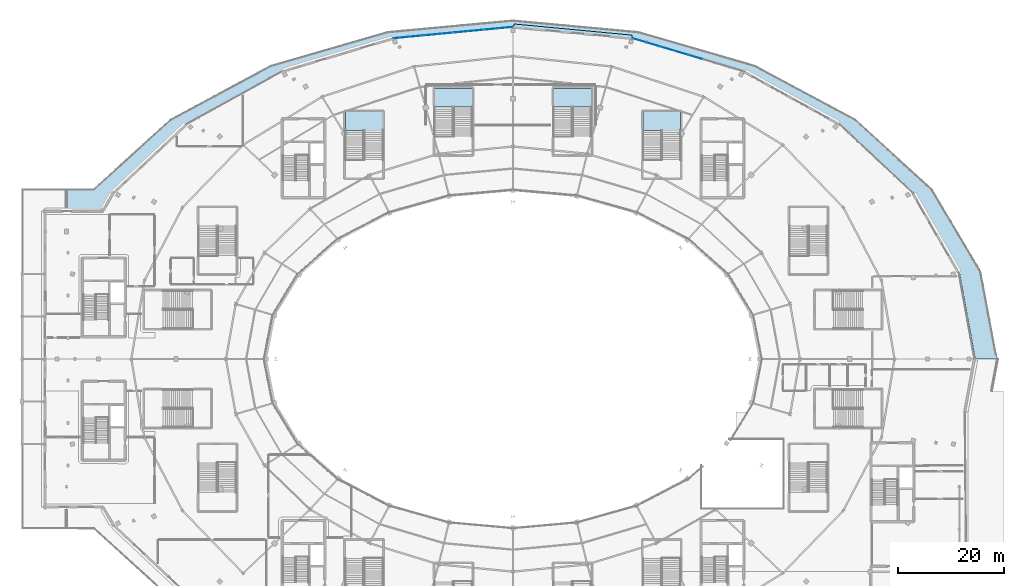
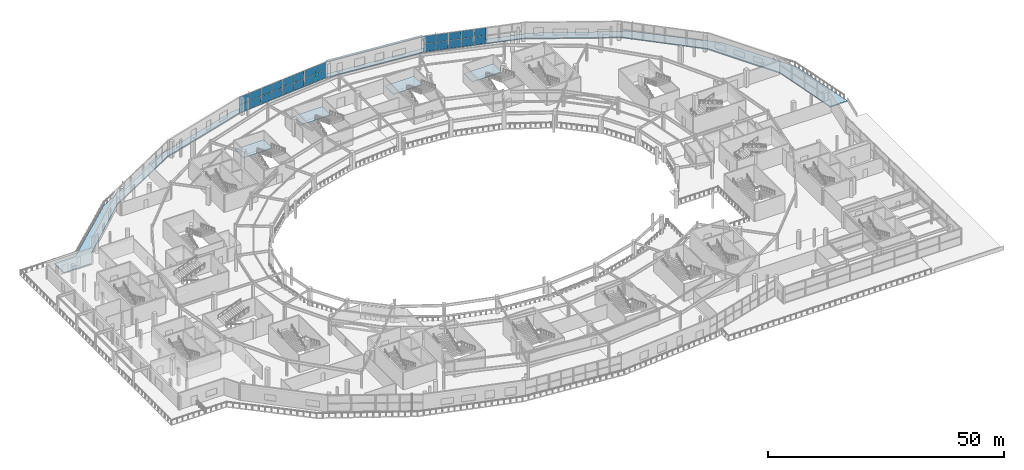
# One storey, part 64 of 107: 27 plates, 5 slabs, 11 elements without a shape of their own.
"""IFC4 building model written with IfcOpenShell, lengths in metres."""

from ifc_helpers import new_model, si_unit, direction, frame, origin, origin_2d, place, context, subcontext, project, spatial, polyline, rectangle, outline, extrude, material, layer, layer_set, type_object, element, aggregate, save


model = new_model("IFC4")

# Units and contexts
model_context = context("Model", 3, precision=1e-05, world=origin(), true_north=direction((0.0, 1.0)))
body_context = subcontext(model_context, "Body", "Model", "MODEL_VIEW")
ifc_project = project(units=[si_unit("LENGTHUNIT", "METRE"), si_unit("AREAUNIT", "SQUARE_METRE"), si_unit("VOLUMEUNIT", "CUBIC_METRE"), si_unit("PLANEANGLEUNIT", "RADIAN"), si_unit("MASSUNIT", "GRAM", prefix="KILO")], contexts=[model_context])

# Site, building, storey
site_placement = place(None, origin())
site = spatial("IfcSite", under=ifc_project, at=site_placement, CompositionType="ELEMENT")
building_placement = place(site_placement, origin())
building = spatial("IfcBuilding", under=site, at=building_placement, Name="Kalgoora Escarpment Arena", CompositionType="ELEMENT")
storey_placement = place(building_placement, frame((0.0, 0.0, 5.39990234375)))
storey = spatial("IfcBuildingStorey", under=building, at=storey_placement, Name="L01", CompositionType="ELEMENT", Elevation=5.39990234375)

# Curtain wall, plates
ifc_material_1 = material(Name=" Champagne anodised aluminium & double-glazed low-E", Category="aluminium")
ifc_layer_1 = layer(ifc_material_1, 0.162109375)
ifc_layer_set_1 = layer_set([ifc_layer_1], Name="CW-UNIT-03")
curtain_wall_type_1 = type_object("IfcCurtainWallType", Name="CW-UNIT-03", PredefinedType="NOTDEFINED", material=ifc_layer_set_1)
curtain_wall_1_placement = place(storey_placement, origin())
curtain_wall_1 = element("IfcCurtainWall", 1, at=curtain_wall_1_placement, inside=storey, type_object=curtain_wall_type_1, Name="L01 unitised facade curtain wall 022", PredefinedType="NOTDEFINED")
ifc_material_2 = material(Name="Low-E double-glazed insulated glass", Category="glass")
ifc_layer_2 = layer(ifc_material_2, 0.028076171875)
ifc_layer_set_2 = layer_set([ifc_layer_2], Name="PLT-CW-GLAZ-28")
plate_type_1 = type_object("IfcPlateType", Name="PLT-CW-GLAZ-28", PredefinedType="CURTAIN_PANEL", material=ifc_layer_set_2)
plate_1_placement = place(storey_placement, frame((76.9716796875, 125.01806640625, 0.080078125), z_axis=(0.0, 0.0, 1.0), x_axis=(0.995543729213, 0.094301024516, 0.0)))
plate_1 = element("IfcPlate", 2, at=plate_1_placement, type_object=plate_type_1, Name="CW-03 panel 1.1", PredefinedType="CURTAIN_PANEL", context=body_context, shape_type="SweptSolid", body=[
    extrude(rectangle(XDim=2.6796875, YDim=0.028076171875, at=origin_2d()), origin(), (0.0, 0.0, 1.0), 2.014892578125),
])
plate_2_placement = place(storey_placement, frame((76.9716796875, 125.01806640625, 2.155029296875), z_axis=(0.0, 0.0, 1.0), x_axis=(0.995543729213, 0.094301024516, 0.0)))
plate_2 = element("IfcPlate", 3, at=plate_2_placement, type_object=plate_type_1, Name="CW-03 panel 1.2", PredefinedType="CURTAIN_PANEL", context=body_context, shape_type="SweptSolid", body=[
    extrude(rectangle(XDim=2.6796875, YDim=0.028076171875, at=origin_2d()), origin(), (0.0, 0.0, 1.0), 1.9951171875),
])
plate_3_placement = place(storey_placement, frame((79.704345703125, 125.27685546875, 0.080078125), z_axis=(0.0, 0.0, 1.0), x_axis=(0.995543729213, 0.094301024516, 0.0)))
plate_3 = element("IfcPlate", 4, at=plate_3_placement, type_object=plate_type_1, Name="CW-03 panel 2.1", PredefinedType="CURTAIN_PANEL", context=body_context, shape_type="SweptSolid", body=[
    extrude(rectangle(XDim=2.6796875, YDim=0.028076171875, at=origin_2d()), origin(), (0.0, 0.0, 1.0), 2.014892578125),
])
plate_4_placement = place(storey_placement, frame((79.704345703125, 125.27685546875, 2.155029296875), z_axis=(0.0, 0.0, 1.0), x_axis=(0.995543729213, 0.094301024516, 0.0)))
plate_4 = element("IfcPlate", 5, at=plate_4_placement, type_object=plate_type_1, Name="CW-03 panel 2.2", PredefinedType="CURTAIN_PANEL", context=body_context, shape_type="SweptSolid", body=[
    extrude(rectangle(XDim=2.6796875, YDim=0.028076171875, at=origin_2d()), origin(), (0.0, 0.0, 1.0), 1.9951171875),
])
aggregate(curtain_wall_1, [plate_1, plate_2, plate_3, plate_4])

ifc_material_3 = material(Name=" Champagne anodised aluminium & double-glazed low-E", Category="aluminium")
ifc_layer_3 = layer(ifc_material_3, 0.14990234375)
ifc_layer_set_3 = layer_set([ifc_layer_3], Name="CW-UNIT-05")
curtain_wall_type_2 = type_object("IfcCurtainWallType", Name="CW-UNIT-05", PredefinedType="NOTDEFINED", material=ifc_layer_set_3)
curtain_wall_2_placement = place(storey_placement, origin())
curtain_wall_2 = element("IfcCurtainWall", 6, at=curtain_wall_2_placement, inside=storey, type_object=curtain_wall_type_2, Name="L01 unitised facade curtain wall 024", PredefinedType="NOTDEFINED")
plate_5_placement = place(storey_placement, frame((88.242919921875, 126.085693359375, 0.080078125), z_axis=(0.0, 0.0, 1.0), x_axis=(0.995543858863, 0.094299655777, 0.0)))
plate_5 = element("IfcPlate", 7, at=plate_5_placement, type_object=plate_type_1, Name="CW-05 panel 1.1", PredefinedType="CURTAIN_PANEL", context=body_context, shape_type="SweptSolid", body=[
    extrude(rectangle(XDim=2.704833984375, YDim=0.028076171875, at=origin_2d()), origin(), (0.0, 0.0, 1.0), 2.014892578125),
])
plate_6_placement = place(storey_placement, frame((88.242919921875, 126.085693359375, 2.155029296875), z_axis=(0.0, 0.0, 1.0), x_axis=(0.995543858863, 0.094299655777, 0.0)))
plate_6 = element("IfcPlate", 8, at=plate_6_placement, type_object=plate_type_1, Name="CW-05 panel 1.2", PredefinedType="CURTAIN_PANEL", context=body_context, shape_type="SweptSolid", body=[
    extrude(rectangle(XDim=2.704833984375, YDim=0.028076171875, at=origin_2d()), origin(), (0.0, 0.0, 1.0), 1.9951171875),
])
plate_7_placement = place(storey_placement, frame((91.000244140625, 126.346923828125, 0.080078125), z_axis=(0.0, 0.0, 1.0), x_axis=(0.995543858863, 0.094299655777, 0.0)))
plate_7 = element("IfcPlate", 9, at=plate_7_placement, type_object=plate_type_1, Name="CW-05 panel 2.1", PredefinedType="CURTAIN_PANEL", context=body_context, shape_type="SweptSolid", body=[
    extrude(rectangle(XDim=2.704833984375, YDim=0.028076171875, at=origin_2d()), origin(), (0.0, 0.0, 1.0), 2.014892578125),
])
plate_8_placement = place(storey_placement, frame((91.000244140625, 126.346923828125, 2.155029296875), z_axis=(0.0, 0.0, 1.0), x_axis=(0.995543858863, 0.094299655777, 0.0)))
plate_8 = element("IfcPlate", 10, at=plate_8_placement, type_object=plate_type_1, Name="CW-05 panel 2.2", PredefinedType="CURTAIN_PANEL", context=body_context, shape_type="SweptSolid", body=[
    extrude(rectangle(XDim=2.704833984375, YDim=0.028076171875, at=origin_2d()), origin(), (0.0, 0.0, 1.0), 1.9951171875),
])
aggregate(curtain_wall_2, [plate_5, plate_6, plate_7, plate_8])

ifc_material_4 = material(Name=" Champagne anodised aluminium & double-glazed low-E", Category="aluminium")
ifc_layer_4 = layer(ifc_material_4, 0.157958984375)
ifc_layer_set_4 = layer_set([ifc_layer_4], Name="CW-UNIT-07")
curtain_wall_type_3 = type_object("IfcCurtainWallType", Name="CW-UNIT-07", PredefinedType="NOTDEFINED", material=ifc_layer_set_4)
curtain_wall_3_placement = place(storey_placement, origin())
curtain_wall_3 = element("IfcCurtainWall", 11, at=curtain_wall_3_placement, inside=storey, type_object=curtain_wall_type_3, Name="L01 unitised facade curtain wall 026", PredefinedType="NOTDEFINED")
plate_9_placement = place(storey_placement, frame((121.479736328125, 122.385986328125, 0.080078125), z_axis=(0.0, 0.0, 1.0), x_axis=(0.958340499513, -0.285628232137, 0.0)))
plate_9 = element("IfcPlate", 12, at=plate_9_placement, type_object=plate_type_1, Name="CW-07 panel 1.1", PredefinedType="CURTAIN_PANEL", context=body_context, shape_type="SweptSolid", body=[
    extrude(rectangle(XDim=2.58935546875, YDim=0.028076171875, at=origin_2d()), origin(), (0.0, 0.0, 1.0), 2.014892578125),
])
plate_10_placement = place(storey_placement, frame((121.479736328125, 122.385986328125, 2.155029296875), z_axis=(0.0, 0.0, 1.0), x_axis=(0.958340499513, -0.285628232137, 0.0)))
plate_10 = element("IfcPlate", 13, at=plate_10_placement, type_object=plate_type_1, Name="CW-07 panel 1.2", PredefinedType="CURTAIN_PANEL", context=body_context, shape_type="SweptSolid", body=[
    extrude(rectangle(XDim=2.58935546875, YDim=0.028076171875, at=origin_2d()), origin(), (0.0, 0.0, 1.0), 1.9951171875),
])
plate_11_placement = place(storey_placement, frame((124.0234375, 121.627685546875, 0.080078125), z_axis=(0.0, 0.0, 1.0), x_axis=(0.958340499513, -0.285628232137, 0.0)))
plate_11 = element("IfcPlate", 14, at=plate_11_placement, type_object=plate_type_1, Name="CW-07 panel 2.1", PredefinedType="CURTAIN_PANEL", context=body_context, shape_type="SweptSolid", body=[
    extrude(rectangle(XDim=2.58935546875, YDim=0.028076171875, at=origin_2d()), origin(), (0.0, 0.0, 1.0), 2.014892578125),
])
plate_12_placement = place(storey_placement, frame((124.0234375, 121.627685546875, 2.155029296875), z_axis=(0.0, 0.0, 1.0), x_axis=(0.958340499513, -0.285628232137, 0.0)))
plate_12 = element("IfcPlate", 15, at=plate_12_placement, type_object=plate_type_1, Name="CW-07 panel 2.2", PredefinedType="CURTAIN_PANEL", context=body_context, shape_type="SweptSolid", body=[
    extrude(rectangle(XDim=2.58935546875, YDim=0.028076171875, at=origin_2d()), origin(), (0.0, 0.0, 1.0), 1.9951171875),
])
aggregate(curtain_wall_3, [plate_9, plate_10, plate_11, plate_12])

ifc_material_5 = material(Name=" Champagne anodised aluminium & double-glazed low-E", Category="aluminium")
ifc_layer_5 = layer(ifc_material_5, 0.157958984375)
ifc_layer_set_5 = layer_set([ifc_layer_5], Name="CW-UNIT-02")
curtain_wall_type_4 = type_object("IfcCurtainWallType", Name="CW-UNIT-02", PredefinedType="NOTDEFINED", material=ifc_layer_set_5)
curtain_wall_4_placement = place(storey_placement, origin())
curtain_wall_4 = element("IfcCurtainWall", 16, at=curtain_wall_4_placement, inside=storey, type_object=curtain_wall_type_4, Name="L01 unitised facade curtain wall 021", PredefinedType="NOTDEFINED")
ifc_material_6 = material(Name="Acoustic laminated solar-control glass", Category="glass")
ifc_layer_6 = layer(ifc_material_6, 0.033935546875)
ifc_layer_set_6 = layer_set([ifc_layer_6], Name="PLT-CW-GLAZ-34")
plate_type_2 = type_object("IfcPlateType", Name="PLT-CW-GLAZ-34", PredefinedType="CURTAIN_PANEL", material=ifc_layer_set_6)
plate_13_placement = place(storey_placement, frame((71.30517578125, 124.481201171875, 0.080078125), z_axis=(0.0, 0.0, 1.0), x_axis=(0.99554234235, 0.094315664594, 0.0)))
plate_13 = element("IfcPlate", 17, at=plate_13_placement, type_object=plate_type_2, Name="CW-02 panel 1.1", PredefinedType="CURTAIN_PANEL", context=body_context, shape_type="SweptSolid", body=[
    extrude(rectangle(XDim=2.704833984375, YDim=0.033935546875, at=origin_2d()), origin(), (0.0, 0.0, 1.0), 2.014892578125),
])
plate_14_placement = place(storey_placement, frame((71.30517578125, 124.481201171875, 2.155029296875), z_axis=(0.0, 0.0, 1.0), x_axis=(0.99554234235, 0.094315664594, 0.0)))
plate_14 = element("IfcPlate", 18, at=plate_14_placement, type_object=plate_type_2, Name="CW-02 panel 1.2", PredefinedType="CURTAIN_PANEL", context=body_context, shape_type="SweptSolid", body=[
    extrude(rectangle(XDim=2.704833984375, YDim=0.033935546875, at=origin_2d()), origin(), (0.0, 0.0, 1.0), 1.9951171875),
])
plate_15_placement = place(storey_placement, frame((74.0625, 124.742431640625, 0.080078125), z_axis=(0.0, 0.0, 1.0), x_axis=(0.99554234235, 0.094315664594, 0.0)))
plate_15 = element("IfcPlate", 19, at=plate_15_placement, type_object=plate_type_2, Name="CW-02 panel 2.1", PredefinedType="CURTAIN_PANEL", context=body_context, shape_type="SweptSolid", body=[
    extrude(rectangle(XDim=2.704833984375, YDim=0.033935546875, at=origin_2d()), origin(), (0.0, 0.0, 1.0), 2.014892578125),
])
plate_16_placement = place(storey_placement, frame((74.0625, 124.742431640625, 2.155029296875), z_axis=(0.0, 0.0, 1.0), x_axis=(0.99554234235, 0.094315664594, 0.0)))
plate_16 = element("IfcPlate", 20, at=plate_16_placement, type_object=plate_type_2, Name="CW-02 panel 2.2", PredefinedType="CURTAIN_PANEL", context=body_context, shape_type="SweptSolid", body=[
    extrude(rectangle(XDim=2.704833984375, YDim=0.033935546875, at=origin_2d()), origin(), (0.0, 0.0, 1.0), 1.9951171875),
])
aggregate(curtain_wall_4, [plate_13, plate_14, plate_15, plate_16])

ifc_material_7 = material(Name=" Champagne anodised aluminium & double-glazed low-E", Category="aluminium")
ifc_layer_7 = layer(ifc_material_7, 0.166015625)
ifc_layer_set_7 = layer_set([ifc_layer_7], Name="CW-UNIT-04")
curtain_wall_type_5 = type_object("IfcCurtainWallType", Name="CW-UNIT-04", PredefinedType="NOTDEFINED", material=ifc_layer_set_7)
curtain_wall_5_placement = place(storey_placement, origin())
curtain_wall_5 = element("IfcCurtainWall", 21, at=curtain_wall_5_placement, inside=storey, type_object=curtain_wall_type_5, Name="L01 unitised facade curtain wall 023", PredefinedType="NOTDEFINED")
plate_17_placement = place(storey_placement, frame((82.60107421875, 125.55126953125, 0.080078125), z_axis=(0.0, 0.0, 1.0), x_axis=(0.995543729213, 0.094301024516, 0.0)))
plate_17 = element("IfcPlate", 22, at=plate_17_placement, type_object=plate_type_2, Name="CW-04 panel 1.1", PredefinedType="CURTAIN_PANEL", context=body_context, shape_type="SweptSolid", body=[
    extrude(rectangle(XDim=2.6796875, YDim=0.033935546875, at=origin_2d()), origin(), (0.0, 0.0, 1.0), 2.014892578125),
])
plate_18_placement = place(storey_placement, frame((82.60107421875, 125.55126953125, 2.155029296875), z_axis=(0.0, 0.0, 1.0), x_axis=(0.995543729213, 0.094301024516, 0.0)))
plate_18 = element("IfcPlate", 23, at=plate_18_placement, type_object=plate_type_2, Name="CW-04 panel 1.2", PredefinedType="CURTAIN_PANEL", context=body_context, shape_type="SweptSolid", body=[
    extrude(rectangle(XDim=2.6796875, YDim=0.033935546875, at=origin_2d()), origin(), (0.0, 0.0, 1.0), 1.9951171875),
])
plate_19_placement = place(storey_placement, frame((85.33349609375, 125.81005859375, 0.080078125), z_axis=(0.0, 0.0, 1.0), x_axis=(0.995543729213, 0.094301024516, 0.0)))
plate_19 = element("IfcPlate", 24, at=plate_19_placement, type_object=plate_type_2, Name="CW-04 panel 2.1", PredefinedType="CURTAIN_PANEL", context=body_context, shape_type="SweptSolid", body=[
    extrude(rectangle(XDim=2.6796875, YDim=0.033935546875, at=origin_2d()), origin(), (0.0, 0.0, 1.0), 2.014892578125),
])
plate_20_placement = place(storey_placement, frame((85.33349609375, 125.81005859375, 2.155029296875), z_axis=(0.0, 0.0, 1.0), x_axis=(0.995543729213, 0.094301024516, 0.0)))
plate_20 = element("IfcPlate", 25, at=plate_20_placement, type_object=plate_type_2, Name="CW-04 panel 2.2", PredefinedType="CURTAIN_PANEL", context=body_context, shape_type="SweptSolid", body=[
    extrude(rectangle(XDim=2.6796875, YDim=0.033935546875, at=origin_2d()), origin(), (0.0, 0.0, 1.0), 1.9951171875),
])
aggregate(curtain_wall_5, [plate_17, plate_18, plate_19, plate_20])

ifc_material_8 = material(Name=" Champagne anodised aluminium & double-glazed low-E", Category="aluminium")
ifc_layer_8 = layer(ifc_material_8, 0.154052734375)
ifc_layer_set_8 = layer_set([ifc_layer_8], Name="CW-UNIT-06")
curtain_wall_type_6 = type_object("IfcCurtainWallType", Name="CW-UNIT-06", PredefinedType="NOTDEFINED", material=ifc_layer_set_8)
curtain_wall_6_placement = place(storey_placement, origin())
curtain_wall_6 = element("IfcCurtainWall", 26, at=curtain_wall_6_placement, inside=storey, type_object=curtain_wall_type_6, Name="L01 unitised facade curtain wall 025", PredefinedType="NOTDEFINED")
plate_21_placement = place(storey_placement, frame((116.197998046875, 123.9599609375, 0.080078125), z_axis=(0.0, 0.0, 1.0), x_axis=(0.958339305286, -0.285632238979, 0.0)))
plate_21 = element("IfcPlate", 27, at=plate_21_placement, type_object=plate_type_2, Name="CW-06 panel 1.1", PredefinedType="CURTAIN_PANEL", context=body_context, shape_type="SweptSolid", body=[
    extrude(rectangle(XDim=2.6142578125, YDim=0.033935546875, at=origin_2d()), origin(), (0.0, 0.0, 1.0), 2.014892578125),
])
plate_22_placement = place(storey_placement, frame((116.197998046875, 123.9599609375, 2.155029296875), z_axis=(0.0, 0.0, 1.0), x_axis=(0.958339305286, -0.285632238979, 0.0)))
plate_22 = element("IfcPlate", 28, at=plate_22_placement, type_object=plate_type_2, Name="CW-06 panel 1.2", PredefinedType="CURTAIN_PANEL", context=body_context, shape_type="SweptSolid", body=[
    extrude(rectangle(XDim=2.6142578125, YDim=0.033935546875, at=origin_2d()), origin(), (0.0, 0.0, 1.0), 1.9951171875),
])
plate_23_placement = place(storey_placement, frame((118.765869140625, 123.19482421875, 0.080078125), z_axis=(0.0, 0.0, 1.0), x_axis=(0.958339305286, -0.285632238979, 0.0)))
plate_23 = element("IfcPlate", 29, at=plate_23_placement, type_object=plate_type_2, Name="CW-06 panel 2.1", PredefinedType="CURTAIN_PANEL", context=body_context, shape_type="SweptSolid", body=[
    extrude(rectangle(XDim=2.6142578125, YDim=0.033935546875, at=origin_2d()), origin(), (0.0, 0.0, 1.0), 2.014892578125),
])
plate_24_placement = place(storey_placement, frame((118.765869140625, 123.19482421875, 2.155029296875), z_axis=(0.0, 0.0, 1.0), x_axis=(0.958339305286, -0.285632238979, 0.0)))
plate_24 = element("IfcPlate", 30, at=plate_24_placement, type_object=plate_type_2, Name="CW-06 panel 2.2", PredefinedType="CURTAIN_PANEL", context=body_context, shape_type="SweptSolid", body=[
    extrude(rectangle(XDim=2.6142578125, YDim=0.033935546875, at=origin_2d()), origin(), (0.0, 0.0, 1.0), 1.9951171875),
])
aggregate(curtain_wall_6, [plate_21, plate_22, plate_23, plate_24])

ifc_material_9 = material(Name=" Champagne anodised aluminium & double-glazed low-E", Category="aluminium")
ifc_layer_9 = layer(ifc_material_9, 0.162109375)
ifc_layer_set_9 = layer_set([ifc_layer_9], Name="CW-UNIT-08")
curtain_wall_type_7 = type_object("IfcCurtainWallType", Name="CW-UNIT-08", PredefinedType="NOTDEFINED", material=ifc_layer_set_9)
curtain_wall_7_placement = place(storey_placement, origin())
curtain_wall_7 = element("IfcCurtainWall", 31, at=curtain_wall_7_placement, inside=storey, type_object=curtain_wall_type_7, Name="L01 unitised facade curtain wall 027", PredefinedType="NOTDEFINED")
plate_25_placement = place(storey_placement, frame((126.725341796875, 120.822509765625, 0.080078125), z_axis=(0.0, 0.0, 1.0), x_axis=(0.958338981291, -0.28563332603, 0.0)))
plate_25 = element("IfcPlate", 32, at=plate_25_placement, type_object=plate_type_2, Name="CW-08 panel 1.1", PredefinedType="CURTAIN_PANEL", context=body_context, shape_type="SweptSolid", body=[
    extrude(rectangle(XDim=2.58935546875, YDim=0.033935546875, at=origin_2d()), origin(), (0.0, 0.0, 1.0), 2.014892578125),
])
plate_26_placement = place(storey_placement, frame((126.725341796875, 120.822509765625, 2.155029296875), z_axis=(0.0, 0.0, 1.0), x_axis=(0.958338981291, -0.28563332603, 0.0)))
plate_26 = element("IfcPlate", 33, at=plate_26_placement, type_object=plate_type_2, Name="CW-08 panel 1.2", PredefinedType="CURTAIN_PANEL", context=body_context, shape_type="SweptSolid", body=[
    extrude(rectangle(XDim=2.58935546875, YDim=0.033935546875, at=origin_2d()), origin(), (0.0, 0.0, 1.0), 1.9951171875),
])
aggregate(curtain_wall_7, [plate_25, plate_26])

# Plate
ifc_material_10 = material(Name="Champagne anodised Art Deco solar brise-soleil hood", Category="aluminium")
ifc_layer_10 = layer(ifc_material_10, 0.1201171875)
ifc_layer_set_10 = layer_set([ifc_layer_10], Name="PLT-DECO-EYEBROW")
plate_type_3 = type_object("IfcPlateType", Name="PLT-DECO-EYEBROW", PredefinedType="SHEET", material=ifc_layer_set_10)
plate_27_placement = place(storey_placement, frame((103.6689453125, 125.64306640625, 3.969970703125), z_axis=(0.0, 0.0, 1.0), x_axis=(0.995545524441, -0.094282070226, 0.0)))
element("IfcPlate", 34, at=plate_27_placement, inside=storey, type_object=plate_type_3, Name="L01 Art Deco horizontal solar brise-soleil eyebrow 036", PredefinedType="SHEET", context=body_context, shape_type="SweptSolid", body=[
    extrude(rectangle(XDim=22.318115234375, YDim=0.719970703125, at=origin_2d()), origin(), (0.0, 0.0, 1.0), 0.1201171875),
])

# Stair, slab
ifc_material_11 = material(Name="Precast concrete N50 (fc' 50 MPa)", Category="concrete")
stair_type_1 = type_object("IfcStairType", Name="STR-STAD-1", PredefinedType="HALF_TURN_STAIR", material=ifc_material_11)
stair_1_placement = place(storey_placement, origin())
stair_1 = element("IfcStair", 35, at=stair_1_placement, inside=storey, type_object=stair_type_1, Name="Fire-isolated exit stair ST09 (L01)", PredefinedType="HALF_TURN_STAIR")
ifc_material_12 = material(Name="Concrete N40 (fc' 40 MPa)", Category="concrete")
ifc_layer_11 = layer(ifc_material_12, 0.219970703125)
ifc_layer_set_11 = layer_set([ifc_layer_11], Name="SLB-ST-LAND-220")
slab_type_1 = type_object("IfcSlabType", Name="SLB-ST-LAND-220", PredefinedType="LANDING", material=ifc_layer_set_11)
slab_1_placement = place(storey_placement, frame((0.0, 0.0, 2.030029296875)))
slab_1 = element("IfcSlab", 36, at=slab_1_placement, type_object=slab_type_1, Name="ST09 L01 half-landing", PredefinedType="LANDING", context=body_context, shape_type="SweptSolid", body=[
    extrude(outline(polyline([(60.85009765625, 107.0), (60.85009765625, 110.550048828125), (67.949951171875, 110.550048828125), (67.949951171875, 107.0), (60.85009765625, 107.0)])), origin(), (0.0, 0.0, 1.0), 0.219970703125),
])
aggregate(stair_1, [slab_1])

ifc_material_13 = material(Name="Precast concrete N50 (fc' 50 MPa)", Category="concrete")
stair_type_2 = type_object("IfcStairType", Name="STR-STAD-2", PredefinedType="HALF_TURN_STAIR", material=ifc_material_13)
stair_2_placement = place(storey_placement, origin())
stair_2 = element("IfcStair", 37, at=stair_2_placement, inside=storey, type_object=stair_type_2, Name="Fire-isolated exit stair ST10 (L01)", PredefinedType="HALF_TURN_STAIR")
slab_2_placement = place(storey_placement, frame((0.0, 0.0, 2.030029296875)))
slab_2 = element("IfcSlab", 38, at=slab_2_placement, type_object=slab_type_1, Name="ST10 L01 half-landing", PredefinedType="LANDING", context=body_context, shape_type="SweptSolid", body=[
    extrude(outline(polyline([(77.64990234375, 111.39990234375), (77.64990234375, 114.949951171875), (84.75, 114.949951171875), (84.75, 111.39990234375), (77.64990234375, 111.39990234375)])), origin(), (0.0, 0.0, 1.0), 0.219970703125),
])
aggregate(stair_2, [slab_2])

ifc_material_14 = material(Name="Precast concrete N50 (fc' 50 MPa)", Category="concrete")
stair_type_3 = type_object("IfcStairType", Name="STR-STAD-3", PredefinedType="HALF_TURN_STAIR", material=ifc_material_14)
stair_3_placement = place(storey_placement, origin())
stair_3 = element("IfcStair", 39, at=stair_3_placement, inside=storey, type_object=stair_type_3, Name="Fire-isolated exit stair ST11 (L01)", PredefinedType="HALF_TURN_STAIR")
slab_3_placement = place(storey_placement, frame((0.0, 0.0, 2.030029296875)))
slab_3 = element("IfcSlab", 40, at=slab_3_placement, type_object=slab_type_1, Name="ST11 L01 half-landing", PredefinedType="LANDING", context=body_context, shape_type="SweptSolid", body=[
    extrude(outline(polyline([(100.050048828125, 111.39990234375), (100.050048828125, 114.949951171875), (107.14990234375, 114.949951171875), (107.14990234375, 111.39990234375), (100.050048828125, 111.39990234375)])), origin(), (0.0, 0.0, 1.0), 0.219970703125),
])
aggregate(stair_3, [slab_3])

ifc_material_15 = material(Name="Precast concrete N50 (fc' 50 MPa)", Category="concrete")
stair_type_4 = type_object("IfcStairType", Name="STR-STAD-4", PredefinedType="HALF_TURN_STAIR", material=ifc_material_15)
stair_4_placement = place(storey_placement, origin())
stair_4 = element("IfcStair", 41, at=stair_4_placement, inside=storey, type_object=stair_type_4, Name="Fire-isolated exit stair ST12 (L01)", PredefinedType="HALF_TURN_STAIR")
slab_4_placement = place(storey_placement, frame((0.0, 0.0, 2.030029296875)))
slab_4 = element("IfcSlab", 42, at=slab_4_placement, type_object=slab_type_1, Name="ST12 L01 half-landing", PredefinedType="LANDING", context=body_context, shape_type="SweptSolid", body=[
    extrude(outline(polyline([(116.85009765625, 107.0), (116.85009765625, 110.550048828125), (123.949951171875, 110.550048828125), (123.949951171875, 107.0), (116.85009765625, 107.0)])), origin(), (0.0, 0.0, 1.0), 0.219970703125),
])
aggregate(stair_4, [slab_4])

# Slab
ifc_material_16 = material(Name="Concrete N40 (fc' 40 MPa)", Category="concrete")
ifc_layer_12 = layer(ifc_material_16, 0.25)
ifc_layer_set_12 = layer_set([ifc_layer_12], Name="SLB-TERR-250")
slab_type_2 = type_object("IfcSlabType", Name="SLB-TERR-250", PredefinedType="FLOOR", material=ifc_layer_set_12)
slab_5_placement = place(storey_placement, frame((0.0, 0.0, -0.25)))
element("IfcSlab", 43, at=slab_5_placement, inside=storey, type_object=slab_type_2, Name="L01 Lower Planted Elliptical Garden Promenade terrace slab", PredefinedType="FLOOR", context=body_context, shape_type="SweptSolid", body=[
    extrude(outline(polyline([(167.744140625, 95.300048828125), (153.918212890625, 108.264892578125), (135.89990234375, 118.213134765625), (114.917236328125, 124.467041015625), (92.39990234375, 126.60009765625), (69.8828125, 124.467041015625), (48.89990234375, 118.213134765625), (30.881591796875, 108.264892578125), (17.055908203125, 95.300048828125), (15.156005859375, 92.0), (8.39990234375, 92.0), (8.39990234375, 96.0), (13.5283203125, 96.0), (27.911865234375, 109.11328125), (46.800048828125, 119.25244140625), (68.795654296875, 125.626220703125), (92.39990234375, 127.800048828125), (116.00439453125, 125.626220703125), (138.0, 119.25244140625), (156.88818359375, 109.11328125), (171.381591796875, 95.89990234375), (180.492431640625, 80.5126953125), (183.60009765625, 64.0), (179.39990234375, 64.0), (176.435546875, 80.2021484375), (167.744140625, 95.300048828125)])), origin(), (0.0, 0.0, 1.0), 0.25),
])

save(model, "model.ifc")
